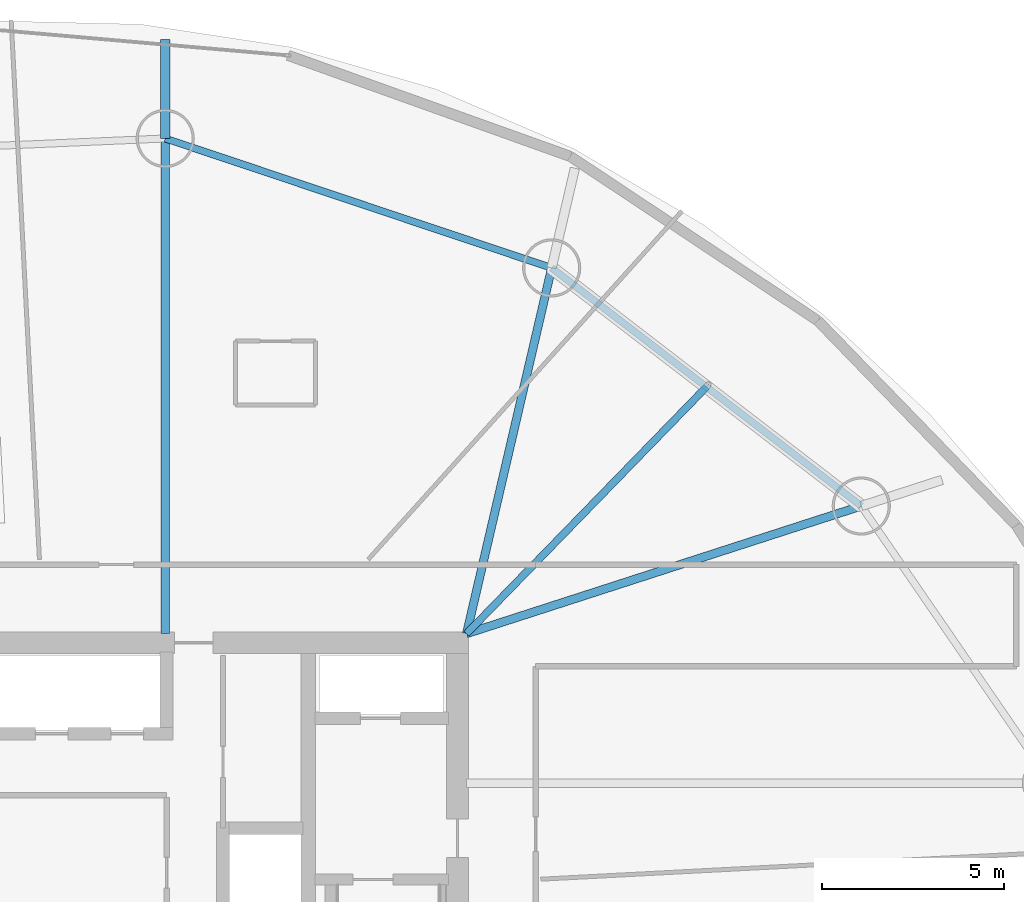
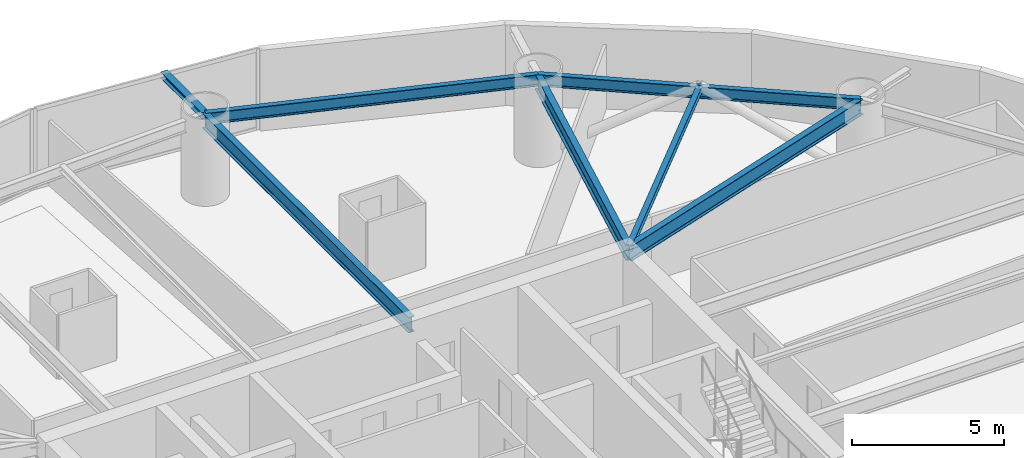
# One storey, part 15 of 24: 7 beams.
"""IFC4 building model written with IfcOpenShell, lengths in metres."""

from ifc_helpers import new_model, si_unit, direction, frame, origin, origin_2d, place, context, subcontext, project, spatial, i_section, extrude, material, material_profile, profile_set, type_object, element, save


model = new_model("IFC4")

# Units and contexts
model_context = context("Model", 3, precision=1e-05, world=origin(), true_north=direction((0.0, 1.0)))
body_context = subcontext(model_context, "Body", "Model", "MODEL_VIEW")
ifc_project = project(units=[si_unit("LENGTHUNIT", "METRE"), si_unit("AREAUNIT", "SQUARE_METRE"), si_unit("VOLUMEUNIT", "CUBIC_METRE"), si_unit("PLANEANGLEUNIT", "RADIAN"), si_unit("MASSUNIT", "GRAM", prefix="KILO")], contexts=[model_context])

# Site, building, storey
site_placement = place(None, origin())
site = spatial("IfcSite", under=ifc_project, at=site_placement, CompositionType="ELEMENT")
building_placement = place(site_placement, origin())
building = spatial("IfcBuilding", under=site, at=building_placement, Name="Bramvorn Convention Spire", CompositionType="ELEMENT")
storey_placement = place(building_placement, frame((0.0, 0.0, 83.39990234375)))
storey = spatial("IfcBuildingStorey", under=building, at=storey_placement, Name="L19", CompositionType="ELEMENT", Elevation=83.39990234375)

# Beams
ifc_material = material(Name="Steel CSA G40.21 Grade 350 (350W)", Category="steel")
ifc_material_profile_1 = material_profile(ifc_material, i_section(OverallWidth=0.201904296875, OverallDepth=0.2470703125, WebThickness=0.00732421875, FlangeThickness=0.010986328125, FilletRadius=0.011962890625, at=origin_2d()))
ifc_profile_set_1 = profile_set([ifc_material_profile_1], Name="Steel CSA G40.21 Grade 350 (350W) - W250X49")
beam_type_1 = type_object("IfcBeamType", Name="BM-W250X49", PredefinedType="JOIST", material=ifc_profile_set_1)
beam_1_placement = place(storey_placement, frame((49.25, 33.449951171875, 3.126708984375), z_axis=(0.697170484005, 0.716905374671, 0.0), x_axis=(-0.716905374671, 0.697170484005, 0.0)))
element("IfcBeam", 1, at=beam_1_placement, inside=storey, type_object=beam_type_1, Name="L19 composite floor joist 03", PredefinedType="JOIST", context=body_context, shape_type="SweptSolid", body=[
    extrude(i_section(OverallWidth=0.201904296875, OverallDepth=0.2470703125, WebThickness=0.00732421875, FlangeThickness=0.010986328125, FilletRadius=0.011962890625, at=origin_2d()), origin(), (0.0, 0.0, 1.0), 9.4638671875),
])
ifc_material_profile_2 = material_profile(ifc_material, i_section(OverallWidth=0.25390625, OverallDepth=0.2529296875, WebThickness=0.008544921875, FlangeThickness=0.01416015625, FilletRadius=0.011962890625, at=origin_2d()))
ifc_profile_set_2 = profile_set([ifc_material_profile_2], Name="Steel CSA G40.21 Grade 350 (350W) - W250X73")
beam_type_2 = type_object("IfcBeamType", Name="BM-W250X73", PredefinedType="BEAM", material=ifc_profile_set_2)
beam_2_placement = place(storey_placement, frame((40.9609375, 47.06884765625, 3.12353515625), z_axis=(0.0, 1.0, 0.0), x_axis=(-1.0, 0.0, 0.0)))
element("IfcBeam", 2, at=beam_2_placement, inside=storey, type_object=beam_type_2, Name="L19 slab-edge cantilever tip beam MC05", PredefinedType="BEAM", context=body_context, shape_type="SweptSolid", body=[
    extrude(i_section(OverallWidth=0.25390625, OverallDepth=0.2529296875, WebThickness=0.008544921875, FlangeThickness=0.01416015625, FilletRadius=0.011962890625, at=origin_2d()), origin(), (0.0, 0.0, 1.0), 2.726318359375),
])
ifc_material_profile_3 = material_profile(ifc_material, i_section(OverallWidth=0.194091796875, OverallDepth=0.468994140625, WebThickness=0.0126953125, FlangeThickness=0.0205078125, FilletRadius=0.01806640625, at=origin_2d()))
ifc_profile_set_3 = profile_set([ifc_material_profile_3], Name="Steel CSA G40.21 Grade 350 (350W) - W460X106")
beam_type_3 = type_object("IfcBeamType", Name="BM-W460X106", PredefinedType="SPANDREL", material=ifc_profile_set_3)
beam_3_placement = place(storey_placement, frame((60.105224609375, 36.960205078125, 3.015625), z_axis=(-0.792672990445, 0.609647053809, 0.0), x_axis=(-0.609647053809, -0.792672990445, 0.0)))
element("IfcBeam", 3, at=beam_3_placement, inside=storey, type_object=beam_type_3, Name="L19 mega-column ring beam 03", PredefinedType="SPANDREL", context=body_context, shape_type="SweptSolid", body=[
    extrude(i_section(OverallWidth=0.194091796875, OverallDepth=0.468994140625, WebThickness=0.0126953125, FlangeThickness=0.0205078125, FilletRadius=0.01806640625, at=origin_2d()), origin(), (0.0, 0.0, 1.0), 10.741943359375),
])
beam_4_placement = place(storey_placement, frame((51.59033203125, 43.509033203125, 3.015625), z_axis=(-0.948235872727, 0.317566890078, 0.0), x_axis=(-0.317566890078, -0.948235872727, 0.0)))
element("IfcBeam", 4, at=beam_4_placement, inside=storey, type_object=beam_type_3, Name="L19 mega-column ring beam 04", PredefinedType="SPANDREL", context=body_context, shape_type="SweptSolid", body=[
    extrude(i_section(OverallWidth=0.194091796875, OverallDepth=0.468994140625, WebThickness=0.0126953125, FlangeThickness=0.0205078125, FilletRadius=0.01806640625, at=origin_2d()), origin(), (0.0, 0.0, 1.0), 11.209716796875),
])
ifc_material_profile_4 = material_profile(ifc_material, i_section(OverallWidth=0.22998046875, OverallDepth=0.616943359375, WebThickness=0.01318359375, FlangeThickness=0.022216796875, FilletRadius=0.02001953125, at=origin_2d()))
ifc_profile_set_4 = profile_set([ifc_material_profile_4], Name="Steel CSA G40.21 Grade 350 (350W) - W610X140")
beam_type_4 = type_object("IfcBeamType", Name="BM-W610X140", PredefinedType="BEAM", material=ifc_profile_set_4)
beam_5_placement = place(storey_placement, frame((49.25, 33.449951171875, 2.941650390625), z_axis=(0.951488933275, 0.307682969719, 0.0), x_axis=(-0.307682969719, 0.951488933275, 0.0)))
element("IfcBeam", 5, at=beam_5_placement, inside=storey, type_object=beam_type_4, Name="L19 radial floor girder MC03", PredefinedType="BEAM", context=body_context, shape_type="SweptSolid", body=[
    extrude(i_section(OverallWidth=0.22998046875, OverallDepth=0.616943359375, WebThickness=0.01318359375, FlangeThickness=0.022216796875, FilletRadius=0.02001953125, at=origin_2d()), origin(), (0.0, 0.0, 1.0), 11.40869140625),
])
beam_6_placement = place(storey_placement, frame((49.25, 33.449951171875, 2.941650390625), z_axis=(0.226606328522, 0.973986433106, 0.0), x_axis=(-0.973986433106, 0.226606328522, 0.0)))
element("IfcBeam", 6, at=beam_6_placement, inside=storey, type_object=beam_type_4, Name="L19 radial floor girder MC04", PredefinedType="BEAM", context=body_context, shape_type="SweptSolid", body=[
    extrude(i_section(OverallWidth=0.22998046875, OverallDepth=0.616943359375, WebThickness=0.01318359375, FlangeThickness=0.022216796875, FilletRadius=0.02001953125, at=origin_2d()), origin(), (0.0, 0.0, 1.0), 10.32763671875),
])
beam_7_placement = place(storey_placement, frame((40.9609375, 33.449951171875, 2.941650390625), z_axis=(0.0, 1.0, 0.0), x_axis=(-1.0, 0.0, 0.0)))
element("IfcBeam", 7, at=beam_7_placement, inside=storey, type_object=beam_type_4, Name="L19 radial floor girder MC05", PredefinedType="BEAM", context=body_context, shape_type="SweptSolid", body=[
    extrude(i_section(OverallWidth=0.22998046875, OverallDepth=0.616943359375, WebThickness=0.01318359375, FlangeThickness=0.022216796875, FilletRadius=0.02001953125, at=origin_2d()), origin(), (0.0, 0.0, 1.0), 13.618896484375),
])

save(model, "model.ifc")
